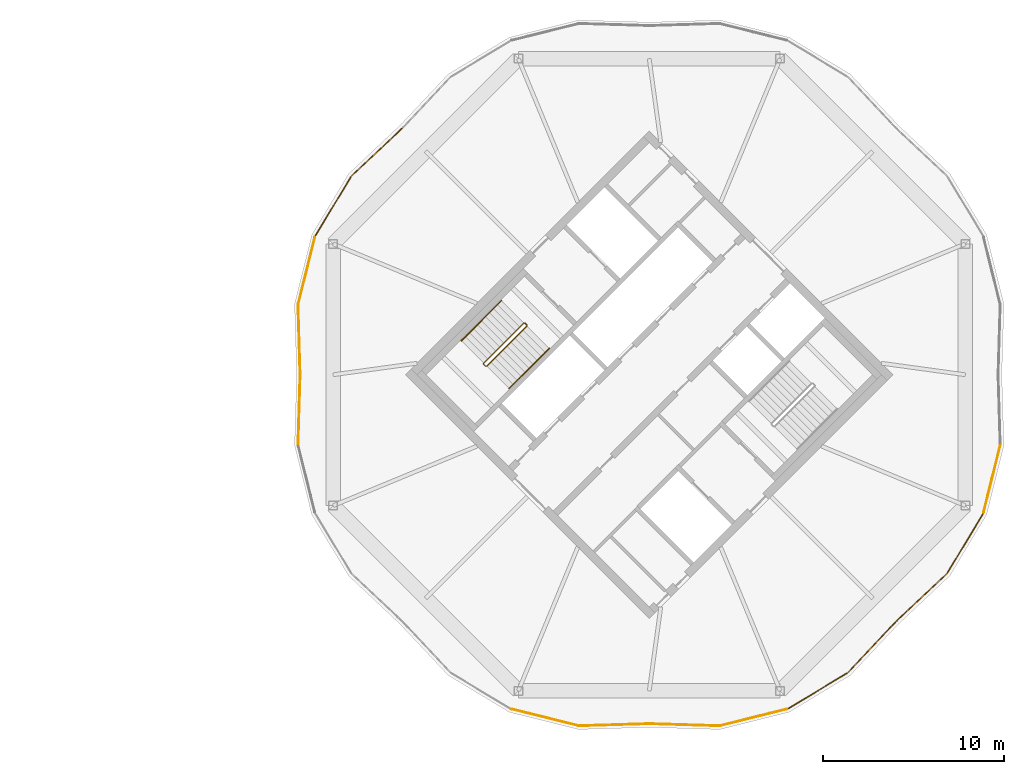
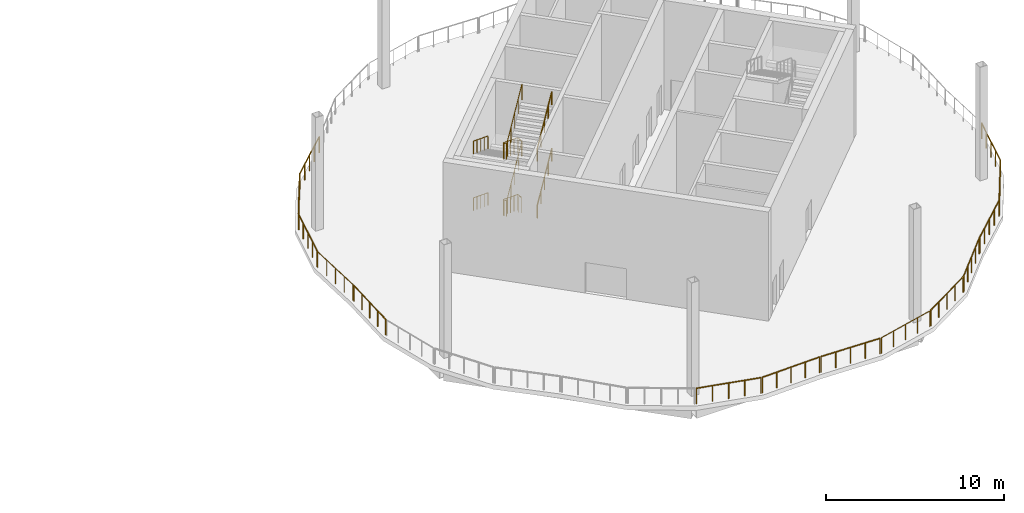
# One storey, part 11 of 12: 19 railings.
"""IFC4 building model written with IfcOpenShell, lengths in metres."""

from ifc_helpers import new_model, si_unit, direction, frame, origin, origin_2d, place, context, subcontext, project, spatial, circle, extrude, material, type_object, element, save


model = new_model("IFC4")

# Units and contexts
model_context = context("Model", 3, precision=1e-05, world=origin(), true_north=direction((0.0, 1.0)))
body_context = subcontext(model_context, "Body", "Model", "MODEL_VIEW")
ifc_project = project(units=[si_unit("LENGTHUNIT", "METRE"), si_unit("AREAUNIT", "SQUARE_METRE"), si_unit("VOLUMEUNIT", "CUBIC_METRE"), si_unit("PLANEANGLEUNIT", "RADIAN"), si_unit("MASSUNIT", "GRAM", prefix="KILO")], contexts=[model_context])

# Site, building, storey
site_placement = place(None, origin())
site = spatial("IfcSite", under=ifc_project, at=site_placement, CompositionType="ELEMENT")
building_placement = place(site_placement, origin())
building = spatial("IfcBuilding", under=site, at=building_placement, Name="Ogive Gate Towers", CompositionType="ELEMENT")
storey_placement = place(building_placement, frame((0.0, 0.0, 248.39990234375)))
storey = spatial("IfcBuildingStorey", under=building, at=storey_placement, Name="L59", CompositionType="ELEMENT", Elevation=248.39990234375)

# Railings
ifc_material = material(Name="Stainless steel", Category="steel")
railing_type_1 = type_object("IfcRailingType", Name="Guard 1100", PredefinedType="GUARDRAIL", material=ifc_material)
railing_1_placement = place(storey_placement, frame((22.35888671875, 13.5703125, 0.0)))
element("IfcRailing", 1, at=railing_1_placement, inside=storey, type_object=railing_type_1, Name="Wind floor guard", PredefinedType="GUARDRAIL", context=body_context, shape_type="SweptSolid", body=[
    extrude(circle(Radius=0.02392578125, at=origin_2d()), frame((0.0, 0.0, 1.076171875), z_axis=(-0.728026975857, -0.685548482913, 0.0), x_axis=(0.685548482913, -0.728026975857, 0.0)), (0.0, 0.0, 1.0), 3.770263671875),
    extrude(circle(Radius=0.02099609375, at=origin_2d()), origin(), (0.0, 0.0, 1.0), 1.052001953125),
    extrude(circle(Radius=0.02099609375, at=origin_2d()), frame((-0.686279296875, -0.646240234375, 0.0)), (0.0, 0.0, 1.0), 1.052001953125),
    extrude(circle(Radius=0.02099609375, at=origin_2d()), frame((-1.37255859375, -1.29248046875, 0.0)), (0.0, 0.0, 1.0), 1.052001953125),
    extrude(circle(Radius=0.02099609375, at=origin_2d()), frame((-2.05859375, -1.9384765625, 0.0)), (0.0, 0.0, 1.0), 1.052001953125),
    extrude(circle(Radius=0.02099609375, at=origin_2d()), frame((-2.744873046875, -2.584716796875, 0.0)), (0.0, 0.0, 1.0), 1.052001953125),
])
railing_2_placement = place(storey_placement, frame((19.552001953125, 10.908447265625, 0.0)))
element("IfcRailing", 2, at=railing_2_placement, inside=storey, type_object=railing_type_1, Name="Wind floor guard", PredefinedType="GUARDRAIL", context=body_context, shape_type="SweptSolid", body=[
    extrude(circle(Radius=0.02392578125, at=origin_2d()), frame((0.0, 0.0, 1.076171875), z_axis=(-0.515427239943, -0.856933346489, 0.0), x_axis=(0.856933346489, -0.515427239943, 0.0)), (0.0, 0.0, 1.0), 3.776123046875),
    extrude(circle(Radius=0.02099609375, at=origin_2d()), origin(), (0.0, 0.0, 1.0), 1.052001953125),
    extrude(circle(Radius=0.02099609375, at=origin_2d()), frame((-0.486572265625, -0.80908203125, 0.0)), (0.0, 0.0, 1.0), 1.052001953125),
    extrude(circle(Radius=0.02099609375, at=origin_2d()), frame((-0.97314453125, -1.617919921875, 0.0)), (0.0, 0.0, 1.0), 1.052001953125),
    extrude(circle(Radius=0.02099609375, at=origin_2d()), frame((-1.459716796875, -2.4267578125, 0.0)), (0.0, 0.0, 1.0), 1.052001953125),
    extrude(circle(Radius=0.02099609375, at=origin_2d()), frame((-1.9462890625, -3.23583984375, 0.0)), (0.0, 0.0, 1.0), 1.052001953125),
])
railing_3_placement = place(storey_placement, frame((17.56787109375, 7.581298828125, 0.0)))
element("IfcRailing", 3, at=railing_3_placement, inside=storey, type_object=railing_type_1, Name="Wind floor guard", PredefinedType="GUARDRAIL", context=body_context, shape_type="SweptSolid", body=[
    extrude(circle(Radius=0.02392578125, at=origin_2d()), frame((0.0, 0.0, 1.076171875), z_axis=(-0.241485792873, -0.970404354813, 0.0), x_axis=(0.970404354813, -0.241485792873, 0.0)), (0.0, 0.0, 1.0), 3.776123046875),
    extrude(circle(Radius=0.02099609375, at=origin_2d()), origin(), (0.0, 0.0, 1.0), 1.052001953125),
    extrude(circle(Radius=0.02099609375, at=origin_2d()), frame((-0.22802734375, -0.916015625, 0.0)), (0.0, 0.0, 1.0), 1.052001953125),
    extrude(circle(Radius=0.02099609375, at=origin_2d()), frame((-0.4560546875, -1.83203125, 0.0)), (0.0, 0.0, 1.0), 1.052001953125),
    extrude(circle(Radius=0.02099609375, at=origin_2d()), frame((-0.683837890625, -2.748291015625, 0.0)), (0.0, 0.0, 1.0), 1.052001953125),
    extrude(circle(Radius=0.02099609375, at=origin_2d()), frame((-0.911865234375, -3.664306640625, 0.0)), (0.0, 0.0, 1.0), 1.052001953125),
])
railing_4_placement = place(storey_placement, frame((16.6455078125, 3.818603515625, 0.0)))
element("IfcRailing", 4, at=railing_4_placement, inside=storey, type_object=railing_type_1, Name="Wind floor guard", PredefinedType="GUARDRAIL", context=body_context, shape_type="SweptSolid", body=[
    extrude(circle(Radius=0.02392578125, at=origin_2d()), frame((0.0, 0.0, 1.076171875), z_axis=(0.029981333403, -0.99955045878, 0.0), x_axis=(0.99955045878, 0.029981333403, 0.0)), (0.0, 0.0, 1.0), 3.770263671875),
    extrude(circle(Radius=0.02099609375, at=origin_2d()), origin(), (0.0, 0.0, 1.0), 1.052001953125),
    extrude(circle(Radius=0.02099609375, at=origin_2d()), frame((0.0283203125, -0.942138671875, 0.0)), (0.0, 0.0, 1.0), 1.052001953125),
    extrude(circle(Radius=0.02099609375, at=origin_2d()), frame((0.056640625, -1.88427734375, 0.0)), (0.0, 0.0, 1.0), 1.052001953125),
    extrude(circle(Radius=0.02099609375, at=origin_2d()), frame((0.084716796875, -2.826416015625, 0.0)), (0.0, 0.0, 1.0), 1.052001953125),
    extrude(circle(Radius=0.02099609375, at=origin_2d()), frame((0.113037109375, -3.7685546875, 0.0)), (0.0, 0.0, 1.0), 1.052001953125),
])
railing_5_placement = place(storey_placement, frame((16.758544921875, -0.050048828125, 0.0)))
element("IfcRailing", 5, at=railing_5_placement, inside=storey, type_object=railing_type_1, Name="Wind floor guard", PredefinedType="GUARDRAIL", context=body_context, shape_type="SweptSolid", body=[
    extrude(circle(Radius=0.02392578125, at=origin_2d()), frame((0.0, 0.0, 1.076171875), z_axis=(-0.029981333403, -0.99955045878, 0.0), x_axis=(0.99955045878, -0.029981333403, 0.0)), (0.0, 0.0, 1.0), 3.770263671875),
    extrude(circle(Radius=0.02099609375, at=origin_2d()), origin(), (0.0, 0.0, 1.0), 1.052001953125),
    extrude(circle(Radius=0.02099609375, at=origin_2d()), frame((-0.0283203125, -0.942138671875, 0.0)), (0.0, 0.0, 1.0), 1.052001953125),
    extrude(circle(Radius=0.02099609375, at=origin_2d()), frame((-0.056640625, -1.88427734375, 0.0)), (0.0, 0.0, 1.0), 1.052001953125),
    extrude(circle(Radius=0.02099609375, at=origin_2d()), frame((-0.084716796875, -2.826416015625, 0.0)), (0.0, 0.0, 1.0), 1.052001953125),
    extrude(circle(Radius=0.02099609375, at=origin_2d()), frame((-0.113037109375, -3.7685546875, 0.0)), (0.0, 0.0, 1.0), 1.052001953125),
])
railing_6_placement = place(storey_placement, frame((28.418701171875, -18.43212890625, 0.0)))
element("IfcRailing", 6, at=railing_6_placement, inside=storey, type_object=railing_type_1, Name="Wind floor guard", PredefinedType="GUARDRAIL", context=body_context, shape_type="SweptSolid", body=[
    extrude(circle(Radius=0.02392578125, at=origin_2d()), frame((0.0, 0.0, 1.076171875), z_axis=(0.970404354813, -0.241485792873, 0.0), x_axis=(0.241485792873, 0.970404354813, 0.0)), (0.0, 0.0, 1.0), 3.776123046875),
    extrude(circle(Radius=0.02099609375, at=origin_2d()), origin(), (0.0, 0.0, 1.0), 1.052001953125),
    extrude(circle(Radius=0.02099609375, at=origin_2d()), frame((0.916015625, -0.22802734375, 0.0)), (0.0, 0.0, 1.0), 1.052001953125),
    extrude(circle(Radius=0.02099609375, at=origin_2d()), frame((1.83203125, -0.4560546875, 0.0)), (0.0, 0.0, 1.0), 1.052001953125),
    extrude(circle(Radius=0.02099609375, at=origin_2d()), frame((2.748291015625, -0.683837890625, 0.0)), (0.0, 0.0, 1.0), 1.052001953125),
    extrude(circle(Radius=0.02099609375, at=origin_2d()), frame((3.664306640625, -0.911865234375, 0.0)), (0.0, 0.0, 1.0), 1.052001953125),
])
railing_7_placement = place(storey_placement, frame((32.181396484375, -19.3544921875, 0.0)))
element("IfcRailing", 7, at=railing_7_placement, inside=storey, type_object=railing_type_1, Name="Wind floor guard", PredefinedType="GUARDRAIL", context=body_context, shape_type="SweptSolid", body=[
    extrude(circle(Radius=0.02392578125, at=origin_2d()), frame((0.0, 0.0, 1.076171875), z_axis=(0.99955045878, 0.029981333403, 0.0), x_axis=(-0.029981333403, 0.99955045878, 0.0)), (0.0, 0.0, 1.0), 3.770263671875),
    extrude(circle(Radius=0.02099609375, at=origin_2d()), origin(), (0.0, 0.0, 1.0), 1.052001953125),
    extrude(circle(Radius=0.02099609375, at=origin_2d()), frame((0.942138671875, 0.0283203125, 0.0)), (0.0, 0.0, 1.0), 1.052001953125),
    extrude(circle(Radius=0.02099609375, at=origin_2d()), frame((1.88427734375, 0.056640625, 0.0)), (0.0, 0.0, 1.0), 1.052001953125),
    extrude(circle(Radius=0.02099609375, at=origin_2d()), frame((2.826416015625, 0.084716796875, 0.0)), (0.0, 0.0, 1.0), 1.052001953125),
    extrude(circle(Radius=0.02099609375, at=origin_2d()), frame((3.7685546875, 0.113037109375, 0.0)), (0.0, 0.0, 1.0), 1.052001953125),
])
railing_8_placement = place(storey_placement, frame((36.050048828125, -19.241455078125, 0.0)))
element("IfcRailing", 8, at=railing_8_placement, inside=storey, type_object=railing_type_1, Name="Wind floor guard", PredefinedType="GUARDRAIL", context=body_context, shape_type="SweptSolid", body=[
    extrude(circle(Radius=0.02392578125, at=origin_2d()), frame((0.0, 0.0, 1.076171875), z_axis=(0.99955045878, -0.029981333403, 0.0), x_axis=(0.029981333403, 0.99955045878, 0.0)), (0.0, 0.0, 1.0), 3.770263671875),
    extrude(circle(Radius=0.02099609375, at=origin_2d()), origin(), (0.0, 0.0, 1.0), 1.052001953125),
    extrude(circle(Radius=0.02099609375, at=origin_2d()), frame((0.942138671875, -0.0283203125, 0.0)), (0.0, 0.0, 1.0), 1.052001953125),
    extrude(circle(Radius=0.02099609375, at=origin_2d()), frame((1.88427734375, -0.056640625, 0.0)), (0.0, 0.0, 1.0), 1.052001953125),
    extrude(circle(Radius=0.02099609375, at=origin_2d()), frame((2.826416015625, -0.084716796875, 0.0)), (0.0, 0.0, 1.0), 1.052001953125),
    extrude(circle(Radius=0.02099609375, at=origin_2d()), frame((3.7685546875, -0.113037109375, 0.0)), (0.0, 0.0, 1.0), 1.052001953125),
])
railing_9_placement = place(storey_placement, frame((39.9169921875, -19.343994140625, 0.0)))
element("IfcRailing", 9, at=railing_9_placement, inside=storey, type_object=railing_type_1, Name="Wind floor guard", PredefinedType="GUARDRAIL", context=body_context, shape_type="SweptSolid", body=[
    extrude(circle(Radius=0.02392578125, at=origin_2d()), frame((0.0, 0.0, 1.076171875), z_axis=(0.970404354813, 0.241485792873, 0.0), x_axis=(-0.241485792873, 0.970404354813, 0.0)), (0.0, 0.0, 1.0), 3.776123046875),
    extrude(circle(Radius=0.02099609375, at=origin_2d()), origin(), (0.0, 0.0, 1.0), 1.052001953125),
    extrude(circle(Radius=0.02099609375, at=origin_2d()), frame((0.916015625, 0.22802734375, 0.0)), (0.0, 0.0, 1.0), 1.052001953125),
    extrude(circle(Radius=0.02099609375, at=origin_2d()), frame((1.83203125, 0.4560546875, 0.0)), (0.0, 0.0, 1.0), 1.052001953125),
    extrude(circle(Radius=0.02099609375, at=origin_2d()), frame((2.748291015625, 0.683837890625, 0.0)), (0.0, 0.0, 1.0), 1.052001953125),
    extrude(circle(Radius=0.02099609375, at=origin_2d()), frame((3.664306640625, 0.911865234375, 0.0)), (0.0, 0.0, 1.0), 1.052001953125),
])
railing_10_placement = place(storey_placement, frame((43.672607421875, -18.394287109375, 0.0)))
element("IfcRailing", 10, at=railing_10_placement, inside=storey, type_object=railing_type_1, Name="Wind floor guard", PredefinedType="GUARDRAIL", context=body_context, shape_type="SweptSolid", body=[
    extrude(circle(Radius=0.02392578125, at=origin_2d()), frame((0.0, 0.0, 1.076171875), z_axis=(0.856933346489, 0.515427239943, 0.0), x_axis=(-0.515427239943, 0.856933346489, 0.0)), (0.0, 0.0, 1.0), 3.776123046875),
    extrude(circle(Radius=0.02099609375, at=origin_2d()), origin(), (0.0, 0.0, 1.0), 1.052001953125),
    extrude(circle(Radius=0.02099609375, at=origin_2d()), frame((0.80908203125, 0.486572265625, 0.0)), (0.0, 0.0, 1.0), 1.052001953125),
    extrude(circle(Radius=0.02099609375, at=origin_2d()), frame((1.617919921875, 0.97314453125, 0.0)), (0.0, 0.0, 1.0), 1.052001953125),
    extrude(circle(Radius=0.02099609375, at=origin_2d()), frame((2.4267578125, 1.459716796875, 0.0)), (0.0, 0.0, 1.0), 1.052001953125),
    extrude(circle(Radius=0.02099609375, at=origin_2d()), frame((3.23583984375, 1.9462890625, 0.0)), (0.0, 0.0, 1.0), 1.052001953125),
])
railing_11_placement = place(storey_placement, frame((46.985595703125, -16.385986328125, 0.0)))
element("IfcRailing", 11, at=railing_11_placement, inside=storey, type_object=railing_type_1, Name="Wind floor guard", PredefinedType="GUARDRAIL", context=body_context, shape_type="SweptSolid", body=[
    extrude(circle(Radius=0.02392578125, at=origin_2d()), frame((0.0, 0.0, 1.076171875), z_axis=(0.685548482913, 0.728026975857, 0.0), x_axis=(-0.728026975857, 0.685548482913, 0.0)), (0.0, 0.0, 1.0), 3.770263671875),
    extrude(circle(Radius=0.02099609375, at=origin_2d()), origin(), (0.0, 0.0, 1.0), 1.052001953125),
    extrude(circle(Radius=0.02099609375, at=origin_2d()), frame((0.646240234375, 0.686279296875, 0.0)), (0.0, 0.0, 1.0), 1.052001953125),
    extrude(circle(Radius=0.02099609375, at=origin_2d()), frame((1.29248046875, 1.37255859375, 0.0)), (0.0, 0.0, 1.0), 1.052001953125),
    extrude(circle(Radius=0.02099609375, at=origin_2d()), frame((1.9384765625, 2.05859375, 0.0)), (0.0, 0.0, 1.0), 1.052001953125),
    extrude(circle(Radius=0.02099609375, at=origin_2d()), frame((2.584716796875, 2.744873046875, 0.0)), (0.0, 0.0, 1.0), 1.052001953125),
])
railing_12_placement = place(storey_placement, frame((49.64111328125, -13.5703125, 0.0)))
element("IfcRailing", 12, at=railing_12_placement, inside=storey, type_object=railing_type_1, Name="Wind floor guard", PredefinedType="GUARDRAIL", context=body_context, shape_type="SweptSolid", body=[
    extrude(circle(Radius=0.02392578125, at=origin_2d()), frame((0.0, 0.0, 1.076171875), z_axis=(0.728026975857, 0.685548482913, 0.0), x_axis=(-0.685548482913, 0.728026975857, 0.0)), (0.0, 0.0, 1.0), 3.770263671875),
    extrude(circle(Radius=0.02099609375, at=origin_2d()), origin(), (0.0, 0.0, 1.0), 1.052001953125),
    extrude(circle(Radius=0.02099609375, at=origin_2d()), frame((0.686279296875, 0.646240234375, 0.0)), (0.0, 0.0, 1.0), 1.052001953125),
    extrude(circle(Radius=0.02099609375, at=origin_2d()), frame((1.37255859375, 1.29248046875, 0.0)), (0.0, 0.0, 1.0), 1.052001953125),
    extrude(circle(Radius=0.02099609375, at=origin_2d()), frame((2.05859375, 1.9384765625, 0.0)), (0.0, 0.0, 1.0), 1.052001953125),
    extrude(circle(Radius=0.02099609375, at=origin_2d()), frame((2.744873046875, 2.584716796875, 0.0)), (0.0, 0.0, 1.0), 1.052001953125),
])
railing_13_placement = place(storey_placement, frame((52.447998046875, -10.908447265625, 0.0)))
element("IfcRailing", 13, at=railing_13_placement, inside=storey, type_object=railing_type_1, Name="Wind floor guard", PredefinedType="GUARDRAIL", context=body_context, shape_type="SweptSolid", body=[
    extrude(circle(Radius=0.02392578125, at=origin_2d()), frame((0.0, 0.0, 1.076171875), z_axis=(0.515427239943, 0.856933346489, 0.0), x_axis=(-0.856933346489, 0.515427239943, 0.0)), (0.0, 0.0, 1.0), 3.776123046875),
    extrude(circle(Radius=0.02099609375, at=origin_2d()), origin(), (0.0, 0.0, 1.0), 1.052001953125),
    extrude(circle(Radius=0.02099609375, at=origin_2d()), frame((0.486572265625, 0.80908203125, 0.0)), (0.0, 0.0, 1.0), 1.052001953125),
    extrude(circle(Radius=0.02099609375, at=origin_2d()), frame((0.97314453125, 1.617919921875, 0.0)), (0.0, 0.0, 1.0), 1.052001953125),
    extrude(circle(Radius=0.02099609375, at=origin_2d()), frame((1.459716796875, 2.4267578125, 0.0)), (0.0, 0.0, 1.0), 1.052001953125),
    extrude(circle(Radius=0.02099609375, at=origin_2d()), frame((1.9462890625, 3.23583984375, 0.0)), (0.0, 0.0, 1.0), 1.052001953125),
])
railing_14_placement = place(storey_placement, frame((54.43212890625, -7.581298828125, 0.0)))
element("IfcRailing", 14, at=railing_14_placement, inside=storey, type_object=railing_type_1, Name="Wind floor guard", PredefinedType="GUARDRAIL", context=body_context, shape_type="SweptSolid", body=[
    extrude(circle(Radius=0.02392578125, at=origin_2d()), frame((0.0, 0.0, 1.076171875), z_axis=(0.241485792873, 0.970404354813, 0.0), x_axis=(-0.970404354813, 0.241485792873, 0.0)), (0.0, 0.0, 1.0), 3.776123046875),
    extrude(circle(Radius=0.02099609375, at=origin_2d()), origin(), (0.0, 0.0, 1.0), 1.052001953125),
    extrude(circle(Radius=0.02099609375, at=origin_2d()), frame((0.22802734375, 0.916015625, 0.0)), (0.0, 0.0, 1.0), 1.052001953125),
    extrude(circle(Radius=0.02099609375, at=origin_2d()), frame((0.4560546875, 1.83203125, 0.0)), (0.0, 0.0, 1.0), 1.052001953125),
    extrude(circle(Radius=0.02099609375, at=origin_2d()), frame((0.683837890625, 2.748291015625, 0.0)), (0.0, 0.0, 1.0), 1.052001953125),
    extrude(circle(Radius=0.02099609375, at=origin_2d()), frame((0.911865234375, 3.664306640625, 0.0)), (0.0, 0.0, 1.0), 1.052001953125),
])
railing_type_2 = type_object("IfcRailingType", Name="Stair guard 1100", PredefinedType="GUARDRAIL", material=ifc_material)
railing_15_placement = place(storey_placement, frame((29.15869140625, 2.8603515625, 0.0)))
element("IfcRailing", 15, at=railing_15_placement, inside=storey, type_object=railing_type_2, Name="L59 ST1 stair guard 1", PredefinedType="GUARDRAIL", context=body_context, shape_type="SweptSolid", body=[
    extrude(circle(Radius=0.02392578125, at=origin_2d()), frame((0.0, 0.0, 1.076171875), z_axis=(0.707106781187, -0.707106781187, 0.0), x_axis=(0.707106781187, 0.707106781187, 0.0)), (0.0, 0.0, 1.0), 0.14501953125),
    extrude(circle(Radius=0.02392578125, at=origin_2d()), frame((0.1025390625, -0.1025390625, 1.076171875), z_axis=(-0.645182954318, 0.382195826253, 0.661562775443), x_axis=(-0.509669330572, -0.860370369942, 0.0)), (0.0, 0.0, 1.0), 0.268310546875),
    extrude(circle(Radius=0.02392578125, at=origin_2d()), frame((-0.070556640625, 0.0, 1.25341796875), z_axis=(-0.61558473135, -0.61558473135, 0.49204763698), x_axis=(0.707106781187, -0.707106781187, 0.0)), (0.0, 0.0, 1.0), 3.602783203125),
    extrude(circle(Radius=0.02392578125, at=origin_2d()), frame((-2.288330078125, -2.2177734375, 3.0263671875), z_axis=(0.0, -1.0, 0.0), x_axis=(1.0, 0.0, 0.0)), (0.0, 0.0, 1.0), 0.07080078125),
    extrude(circle(Radius=0.02392578125, at=origin_2d()), frame((-2.288330078125, -2.28857421875, 3.0263671875), z_axis=(0.707106781187, -0.707106781187, 0.0), x_axis=(0.707106781187, 0.707106781187, 0.0)), (0.0, 0.0, 1.0), 0.14501953125),
    extrude(circle(Radius=0.02392578125, at=origin_2d()), frame((-2.185791015625, -2.39111328125, 3.0263671875), z_axis=(0.369845645421, 0.0, 0.929093213065), x_axis=(0.0, 1.0, 0.0)), (0.0, 0.0, 1.0), 0.190673828125),
    extrude(circle(Radius=0.02392578125, at=origin_2d()), frame((-2.115234375, -2.39111328125, 3.20361328125), z_axis=(0.61558473135, 0.61558473135, 0.49204763698), x_axis=(-0.707106781187, 0.707106781187, 0.0)), (0.0, 0.0, 1.0), 3.602783203125),
    extrude(circle(Radius=0.02392578125, at=origin_2d()), frame((0.1025390625, -0.17333984375, 4.97607421875), z_axis=(-0.509137664008, 0.860685098679, 0.0), x_axis=(-0.860685098679, -0.509137664008, 0.0)), (0.0, 0.0, 1.0), 0.201416015625),
    extrude(circle(Radius=0.02392578125, at=origin_2d()), frame((0.0, 0.0, 4.97607421875), z_axis=(0.707106781187, -0.707106781187, 0.0), x_axis=(0.707106781187, 0.707106781187, 0.0)), (0.0, 0.0, 1.0), 0.14501953125),
    extrude(circle(Radius=0.02392578125, at=origin_2d()), frame((0.1025390625, -0.1025390625, 4.97607421875), z_axis=(-0.645571447971, 0.382425963537, 0.661050594114), x_axis=(-0.509669330572, -0.860370369942, 0.0)), (0.0, 0.0, 1.0), 0.26806640625),
    extrude(circle(Radius=0.02392578125, at=origin_2d()), frame((-0.070556640625, 0.0, 5.1533203125), z_axis=(-0.61558473135, -0.61558473135, 0.49204763698), x_axis=(0.707106781187, -0.707106781187, 0.0)), (0.0, 0.0, 1.0), 3.602783203125),
    extrude(circle(Radius=0.02392578125, at=origin_2d()), frame((-2.288330078125, -2.2177734375, 6.92626953125), z_axis=(0.0, -1.0, 0.0), x_axis=(1.0, 0.0, 0.0)), (0.0, 0.0, 1.0), 0.07080078125),
    extrude(circle(Radius=0.02392578125, at=origin_2d()), frame((-2.288330078125, -2.28857421875, 6.92626953125), z_axis=(0.707106781187, -0.707106781187, 0.0), x_axis=(0.707106781187, 0.707106781187, 0.0)), (0.0, 0.0, 1.0), 0.14501953125),
    extrude(circle(Radius=0.02392578125, at=origin_2d()), frame((-2.185791015625, -2.39111328125, 6.92626953125), z_axis=(0.369845645421, 0.0, 0.929093213065), x_axis=(0.0, 1.0, 0.0)), (0.0, 0.0, 1.0), 0.190673828125),
    extrude(circle(Radius=0.02392578125, at=origin_2d()), frame((-2.115234375, -2.39111328125, 7.103515625), z_axis=(0.61558473135, 0.61558473135, 0.49204763698), x_axis=(-0.707106781187, 0.707106781187, 0.0)), (0.0, 0.0, 1.0), 3.602783203125),
    extrude(circle(Radius=0.02099609375, at=origin_2d()), origin(), (0.0, 0.0, 1.0), 1.052001953125),
    extrude(circle(Radius=0.02099609375, at=origin_2d()), frame((0.1025390625, -0.1025390625, 0.0)), (0.0, 0.0, 1.0), 1.052001953125),
    extrude(circle(Radius=0.02099609375, at=origin_2d()), frame((-0.070556640625, 0.0, 0.177490234375)), (0.0, 0.0, 1.0), 1.052001953125),
    extrude(circle(Radius=0.02099609375, at=origin_2d()), frame((-0.625, -0.554443359375, 0.62060546875)), (0.0, 0.0, 1.0), 1.052001953125),
    extrude(circle(Radius=0.02099609375, at=origin_2d()), frame((-1.179443359375, -1.10888671875, 1.06396484375)), (0.0, 0.0, 1.0), 1.052001953125),
    extrude(circle(Radius=0.02099609375, at=origin_2d()), frame((-1.73388671875, -1.663330078125, 1.507080078125)), (0.0, 0.0, 1.0), 1.052001953125),
    extrude(circle(Radius=0.02099609375, at=origin_2d()), frame((-2.288330078125, -2.2177734375, 1.9501953125)), (0.0, 0.0, 1.0), 1.052001953125),
    extrude(circle(Radius=0.02099609375, at=origin_2d()), frame((-2.288330078125, -2.28857421875, 1.9501953125)), (0.0, 0.0, 1.0), 1.052001953125),
    extrude(circle(Radius=0.02099609375, at=origin_2d()), frame((-2.185791015625, -2.39111328125, 1.9501953125)), (0.0, 0.0, 1.0), 1.052001953125),
    extrude(circle(Radius=0.02099609375, at=origin_2d()), frame((-2.115234375, -2.39111328125, 2.12744140625)), (0.0, 0.0, 1.0), 1.052001953125),
    extrude(circle(Radius=0.02099609375, at=origin_2d()), frame((-1.560791015625, -1.836669921875, 2.570556640625)), (0.0, 0.0, 1.0), 1.052001953125),
    extrude(circle(Radius=0.02099609375, at=origin_2d()), frame((-1.00634765625, -1.2822265625, 3.013671875)), (0.0, 0.0, 1.0), 1.052001953125),
    extrude(circle(Radius=0.02099609375, at=origin_2d()), frame((-0.451904296875, -0.727783203125, 3.45703125)), (0.0, 0.0, 1.0), 1.052001953125),
    extrude(circle(Radius=0.02099609375, at=origin_2d()), frame((0.1025390625, -0.17333984375, 3.900146484375)), (0.0, 0.0, 1.0), 1.052001953125),
    extrude(circle(Radius=0.02099609375, at=origin_2d()), frame((0.0, 0.0, 3.900146484375)), (0.0, 0.0, 1.0), 1.052001953125),
    extrude(circle(Radius=0.02099609375, at=origin_2d()), frame((0.1025390625, -0.1025390625, 3.900146484375)), (0.0, 0.0, 1.0), 1.052001953125),
    extrude(circle(Radius=0.02099609375, at=origin_2d()), frame((-0.070556640625, 0.0, 4.077392578125)), (0.0, 0.0, 1.0), 1.052001953125),
    extrude(circle(Radius=0.02099609375, at=origin_2d()), frame((-0.625, -0.554443359375, 4.5205078125)), (0.0, 0.0, 1.0), 1.052001953125),
    extrude(circle(Radius=0.02099609375, at=origin_2d()), frame((-1.179443359375, -1.10888671875, 4.9638671875)), (0.0, 0.0, 1.0), 1.052001953125),
    extrude(circle(Radius=0.02099609375, at=origin_2d()), frame((-1.73388671875, -1.663330078125, 5.406982421875)), (0.0, 0.0, 1.0), 1.052001953125),
    extrude(circle(Radius=0.02099609375, at=origin_2d()), frame((-2.288330078125, -2.2177734375, 5.85009765625)), (0.0, 0.0, 1.0), 1.052001953125),
    extrude(circle(Radius=0.02099609375, at=origin_2d()), frame((-2.288330078125, -2.28857421875, 5.85009765625)), (0.0, 0.0, 1.0), 1.052001953125),
    extrude(circle(Radius=0.02099609375, at=origin_2d()), frame((-2.185791015625, -2.39111328125, 5.85009765625)), (0.0, 0.0, 1.0), 1.052001953125),
    extrude(circle(Radius=0.02099609375, at=origin_2d()), frame((-2.115234375, -2.39111328125, 6.02734375)), (0.0, 0.0, 1.0), 1.052001953125),
    extrude(circle(Radius=0.02099609375, at=origin_2d()), frame((-1.560791015625, -1.836669921875, 6.470458984375)), (0.0, 0.0, 1.0), 1.052001953125),
    extrude(circle(Radius=0.02099609375, at=origin_2d()), frame((-1.00634765625, -1.2822265625, 6.91357421875)), (0.0, 0.0, 1.0), 1.052001953125),
    extrude(circle(Radius=0.02099609375, at=origin_2d()), frame((-0.451904296875, -0.727783203125, 7.35693359375)), (0.0, 0.0, 1.0), 1.052001953125),
    extrude(circle(Radius=0.02099609375, at=origin_2d()), frame((0.1025390625, -0.17333984375, 7.800048828125)), (0.0, 0.0, 1.0), 1.052001953125),
])
railing_type_3 = type_object("IfcRailingType", Name="Stair handrail 900", PredefinedType="HANDRAIL", material=ifc_material)
railing_16_placement = place(storey_placement, frame((27.857666015625, 4.090576171875, 0.177490234375)))
element("IfcRailing", 16, at=railing_16_placement, inside=storey, type_object=railing_type_3, Name="L59 ST1 stair handrail 1", PredefinedType="HANDRAIL", context=body_context, shape_type="SweptSolid", body=[
    extrude(circle(Radius=0.02392578125, at=origin_2d()), frame((0.0, 0.0, 0.8759765625), z_axis=(-0.61558473135, -0.61558473135, 0.49204763698), x_axis=(0.707106781187, -0.707106781187, 0.0)), (0.0, 0.0, 1.0), 3.602783203125),
    extrude(circle(Radius=0.02099609375, at=origin_2d()), origin(), (0.0, 0.0, 1.0), 0.851806640625),
    extrude(circle(Radius=0.02099609375, at=origin_2d()), frame((-0.554443359375, -0.554443359375, 0.443115234375)), (0.0, 0.0, 1.0), 0.851806640625),
    extrude(circle(Radius=0.02099609375, at=origin_2d()), frame((-1.10888671875, -1.10888671875, 0.88623046875)), (0.0, 0.0, 1.0), 0.851806640625),
    extrude(circle(Radius=0.02099609375, at=origin_2d()), frame((-1.663330078125, -1.663330078125, 1.32958984375)), (0.0, 0.0, 1.0), 0.851806640625),
    extrude(circle(Radius=0.02099609375, at=origin_2d()), frame((-2.2177734375, -2.2177734375, 1.772705078125)), (0.0, 0.0, 1.0), 0.851806640625),
])
railing_17_placement = place(storey_placement, frame((28.27392578125, -0.760986328125, 2.12744140625)))
element("IfcRailing", 17, at=railing_17_placement, inside=storey, type_object=railing_type_3, Name="L59 ST1 stair handrail 2", PredefinedType="HANDRAIL", context=body_context, shape_type="SweptSolid", body=[
    extrude(circle(Radius=0.02392578125, at=origin_2d()), frame((0.0, 0.0, 0.8759765625), z_axis=(0.615610411033, 0.615542642384, 0.4920681632), x_axis=(-0.70706785752, 0.70714570271, 0.0)), (0.0, 0.0, 1.0), 3.6025390625),
    extrude(circle(Radius=0.02099609375, at=origin_2d()), origin(), (0.0, 0.0, 1.0), 0.851806640625),
    extrude(circle(Radius=0.02099609375, at=origin_2d()), frame((0.554443359375, 0.554443359375, 0.443115234375)), (0.0, 0.0, 1.0), 0.851806640625),
    extrude(circle(Radius=0.02099609375, at=origin_2d()), frame((1.10888671875, 1.10888671875, 0.88623046875)), (0.0, 0.0, 1.0), 0.851806640625),
    extrude(circle(Radius=0.02099609375, at=origin_2d()), frame((1.663330078125, 1.6630859375, 1.32958984375)), (0.0, 0.0, 1.0), 0.851806640625),
    extrude(circle(Radius=0.02099609375, at=origin_2d()), frame((2.2177734375, 2.217529296875, 1.772705078125)), (0.0, 0.0, 1.0), 0.851806640625),
])
railing_18_placement = place(storey_placement, frame((27.857666015625, 4.090576171875, 4.077392578125)))
element("IfcRailing", 18, at=railing_18_placement, inside=storey, type_object=railing_type_3, Name="L59 ST1 stair handrail 3", PredefinedType="HANDRAIL", context=body_context, shape_type="SweptSolid", body=[
    extrude(circle(Radius=0.02392578125, at=origin_2d()), frame((0.0, 0.0, 0.8759765625), z_axis=(-0.61558473135, -0.61558473135, 0.49204763698), x_axis=(0.707106781187, -0.707106781187, 0.0)), (0.0, 0.0, 1.0), 3.602783203125),
    extrude(circle(Radius=0.02099609375, at=origin_2d()), origin(), (0.0, 0.0, 1.0), 0.851806640625),
    extrude(circle(Radius=0.02099609375, at=origin_2d()), frame((-0.554443359375, -0.554443359375, 0.443115234375)), (0.0, 0.0, 1.0), 0.851806640625),
    extrude(circle(Radius=0.02099609375, at=origin_2d()), frame((-1.10888671875, -1.10888671875, 0.88623046875)), (0.0, 0.0, 1.0), 0.851806640625),
    extrude(circle(Radius=0.02099609375, at=origin_2d()), frame((-1.663330078125, -1.663330078125, 1.32958984375)), (0.0, 0.0, 1.0), 0.851806640625),
    extrude(circle(Radius=0.02099609375, at=origin_2d()), frame((-2.2177734375, -2.2177734375, 1.772705078125)), (0.0, 0.0, 1.0), 0.851806640625),
])
railing_19_placement = place(storey_placement, frame((28.27392578125, -0.760986328125, 6.02734375)))
element("IfcRailing", 19, at=railing_19_placement, inside=storey, type_object=railing_type_3, Name="L59 ST1 stair handrail 4", PredefinedType="HANDRAIL", context=body_context, shape_type="SweptSolid", body=[
    extrude(circle(Radius=0.02392578125, at=origin_2d()), frame((0.0, 0.0, 0.8759765625), z_axis=(0.615610411033, 0.615542642384, 0.4920681632), x_axis=(-0.70706785752, 0.70714570271, 0.0)), (0.0, 0.0, 1.0), 3.6025390625),
    extrude(circle(Radius=0.02099609375, at=origin_2d()), origin(), (0.0, 0.0, 1.0), 0.851806640625),
    extrude(circle(Radius=0.02099609375, at=origin_2d()), frame((0.554443359375, 0.554443359375, 0.443115234375)), (0.0, 0.0, 1.0), 0.851806640625),
    extrude(circle(Radius=0.02099609375, at=origin_2d()), frame((1.10888671875, 1.10888671875, 0.88623046875)), (0.0, 0.0, 1.0), 0.851806640625),
    extrude(circle(Radius=0.02099609375, at=origin_2d()), frame((1.663330078125, 1.6630859375, 1.32958984375)), (0.0, 0.0, 1.0), 0.851806640625),
    extrude(circle(Radius=0.02099609375, at=origin_2d()), frame((2.2177734375, 2.217529296875, 1.772705078125)), (0.0, 0.0, 1.0), 0.851806640625),
])

save(model, "model.ifc")
